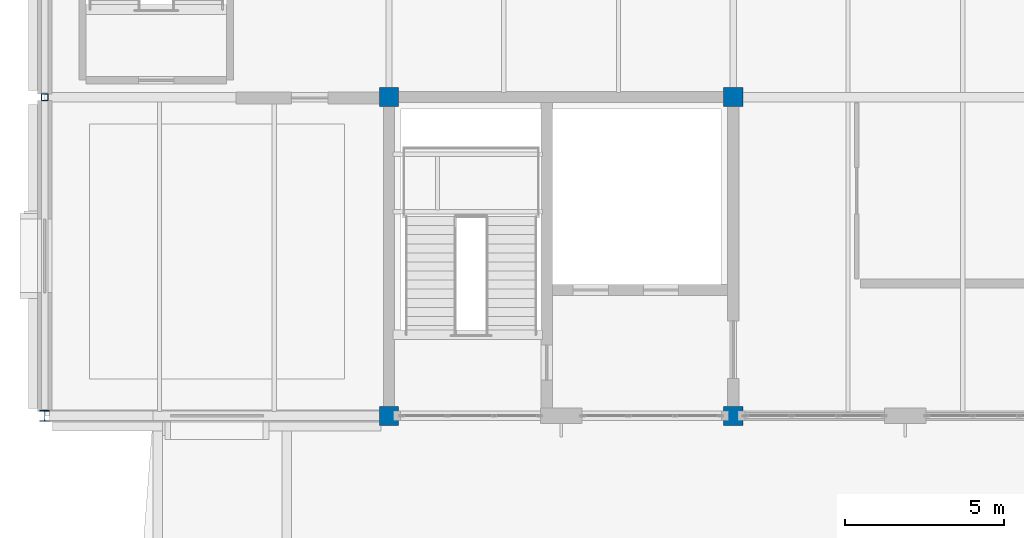
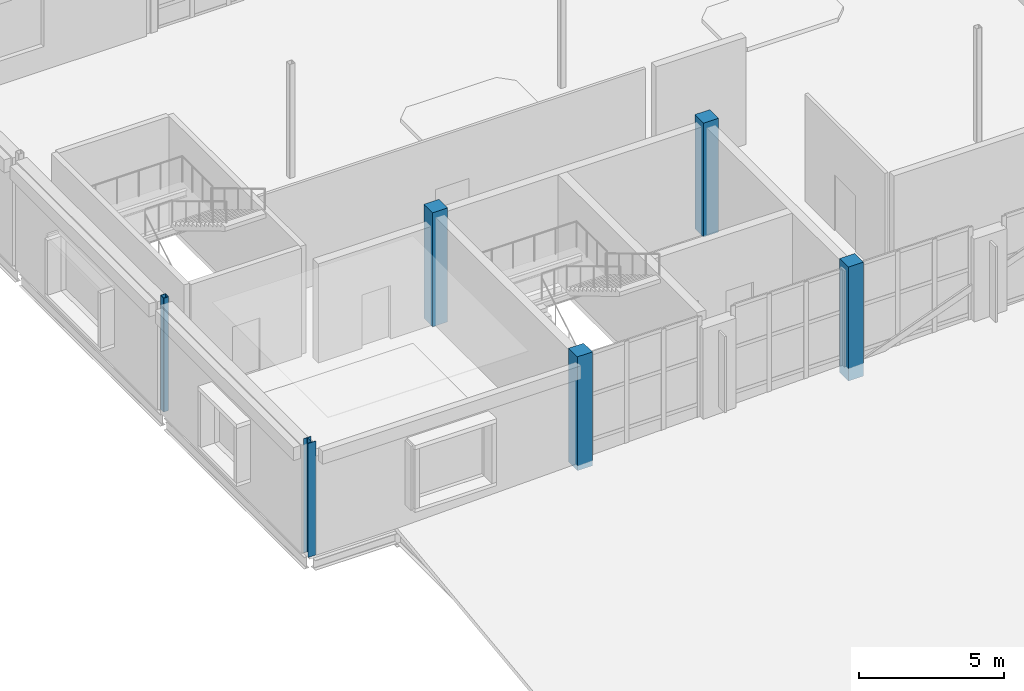
# One storey, part 2 of 86: 6 columns.
"""IFC4 building model written with IfcOpenShell, lengths in metres."""

from ifc_helpers import new_model, si_unit, direction, frame, origin, origin_2d, place, context, subcontext, project, spatial, rectangle, hollow_rectangle, i_section, extrude, material, material_profile, profile_set, type_object, element, save


model = new_model("IFC4")

# Units and contexts
model_context = context("Model", 3, precision=1e-05, world=origin(), true_north=direction((0.0, 1.0)))
body_context = subcontext(model_context, "Body", "Model", "MODEL_VIEW")
ifc_project = project(units=[si_unit("LENGTHUNIT", "METRE"), si_unit("AREAUNIT", "SQUARE_METRE"), si_unit("VOLUMEUNIT", "CUBIC_METRE"), si_unit("PLANEANGLEUNIT", "RADIAN"), si_unit("MASSUNIT", "GRAM", prefix="KILO")], contexts=[model_context])

# Site, building, storey
site_placement = place(None, origin())
site = spatial("IfcSite", under=ifc_project, at=site_placement, CompositionType="ELEMENT")
building_placement = place(site_placement, origin())
building = spatial("IfcBuilding", under=site, at=building_placement, Name="Tasgan Crest Museum", CompositionType="ELEMENT")
storey_placement = place(building_placement, frame((0.0, 0.0, 24.0)))
storey = spatial("IfcBuildingStorey", under=building, at=storey_placement, Name="L04", CompositionType="ELEMENT", Elevation=24.0)

# Columns
ifc_material_1 = material(Name="Steel S355J2", Category="steel")
ifc_material_profile_1 = material_profile(ifc_material_1, i_section(OverallWidth=0.300048828125, OverallDepth=0.340087890625, WebThickness=0.011962890625, FlangeThickness=0.021484375, FilletRadius=0.027099609375, at=origin_2d()), Name="HEB 340")
ifc_profile_set_1 = profile_set([ifc_material_profile_1], Name="Steel S355J2")
column_type_1 = type_object("IfcColumnType", Name="COL-HEB340", PredefinedType="COLUMN", material=ifc_profile_set_1)
column_1_placement = place(storey_placement, frame((0.0, 82.0, 0.0), z_axis=(0.0, 0.0, 1.0), x_axis=(1.0, 0.0, 0.0)))
element("IfcColumn", 1, at=column_1_placement, inside=storey, type_object=column_type_1, Name="Column 1/J L04", PredefinedType="COLUMN", context=body_context, shape_type="SweptSolid", body=[
    extrude(i_section(OverallWidth=0.300048828125, OverallDepth=0.340087890625, WebThickness=0.011962890625, FlangeThickness=0.021484375, FilletRadius=0.027099609375, at=origin_2d()), origin(), (0.0, 0.0, 1.0), 4.800048828125),
])
ifc_material_2 = material(Name="Concrete C40/50", Category="concrete")
ifc_material_profile_2 = material_profile(ifc_material_2, rectangle(XDim=0.60009765625, YDim=0.60009765625, at=origin_2d()), Name="RC 600x600")
ifc_profile_set_2 = profile_set([ifc_material_profile_2], Name="Concrete C40/50")
column_type_2 = type_object("IfcColumnType", Name="COL-RC600", PredefinedType="COLUMN", material=ifc_profile_set_2)
for number, where, z_axis, x_axis, name in (
    (2, (10.800048828125, 82.0, 0.0), (0.0, 0.0, 1.0), (1.0, 0.0, 0.0), "Column 2/J L04"),
    (3, (10.800048828125, 92.0, 0.0), (0.0, 0.0, 1.0), (1.0, 0.0, 0.0), "Column 2/K L04"),
    (4, (21.60009765625, 82.0, 0.0), (0.0, 0.0, 1.0), (1.0, 0.0, 0.0), "Column 3/J L04"),
    (5, (21.60009765625, 92.0, 0.0), (0.0, 0.0, 1.0), (1.0, 0.0, 0.0), "Column 3/K L04"),
):
    element("IfcColumn", number, at=place(storey_placement, frame(where, z_axis=z_axis, x_axis=x_axis)), inside=storey, type_object=column_type_2, Name=name, PredefinedType="COLUMN", context=body_context, shape_type="SweptSolid", body=[
        extrude(rectangle(XDim=0.60009765625, YDim=0.60009765625, at=origin_2d()), origin(), (0.0, 0.0, 1.0), 4.800048828125),
    ])
ifc_material_3 = material(Name="Steel S355J2", Category="steel")
ifc_material_profile_3 = material_profile(ifc_material_3, hollow_rectangle(XDim=0.219970703125, YDim=0.219970703125, WallThickness=0.012451171875, InnerFilletRadius=0.012451171875, OuterFilletRadius=0.02490234375, at=origin_2d()), Name="SHS 220x220x12.5")
ifc_profile_set_3 = profile_set([ifc_material_profile_3], Name="Steel S355J2")
column_type_3 = type_object("IfcColumnType", Name="COL-SHS220", PredefinedType="COLUMN", material=ifc_profile_set_3)
column_2_placement = place(storey_placement, frame((0.0, 92.0, 0.0), z_axis=(0.0, 0.0, 1.0), x_axis=(1.0, 0.0, 0.0)))
element("IfcColumn", 6, at=column_2_placement, inside=storey, type_object=column_type_3, Name="Column 1/K L04", PredefinedType="COLUMN", context=body_context, shape_type="SweptSolid", body=[
    extrude(hollow_rectangle(XDim=0.219970703125, YDim=0.219970703125, WallThickness=0.012451171875, InnerFilletRadius=0.012451171875, OuterFilletRadius=0.02490234375, at=origin_2d()), origin(), (0.0, 0.0, 1.0), 4.800048828125),
])

save(model, "model.ifc")
